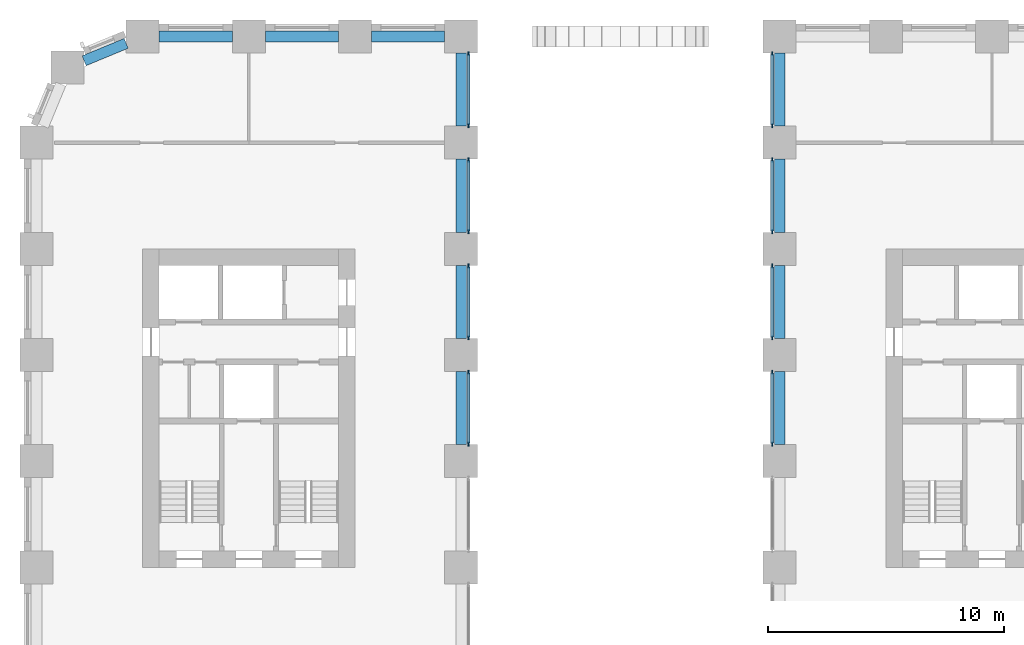
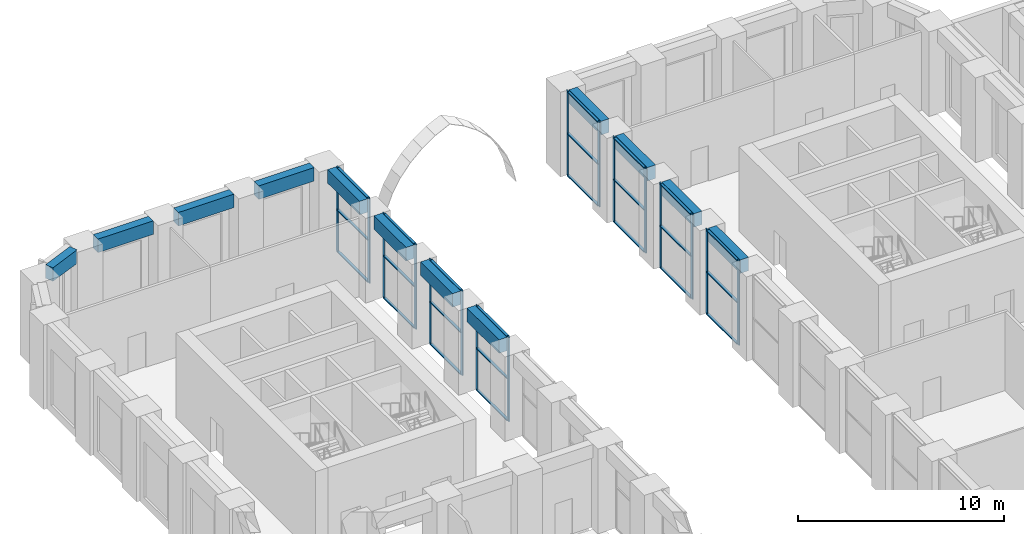
# One storey, part 5 of 24: 40 members, 12 beams, 8 elements without a shape of their own.
"""IFC4 building model written with IfcOpenShell, lengths in metres."""

from ifc_helpers import new_model, si_unit, direction, frame, origin, origin_2d, place, context, subcontext, project, spatial, rectangle, extrude, material, material_profile, profile_set, type_object, element, aggregate, save


model = new_model("IFC4")

# Units and contexts
model_context = context("Model", 3, precision=1e-05, world=origin(), true_north=direction((0.0, 1.0)))
body_context = subcontext(model_context, "Body", "Model", "MODEL_VIEW")
ifc_project = project(units=[si_unit("LENGTHUNIT", "METRE"), si_unit("AREAUNIT", "SQUARE_METRE"), si_unit("VOLUMEUNIT", "CUBIC_METRE"), si_unit("PLANEANGLEUNIT", "RADIAN"), si_unit("MASSUNIT", "GRAM", prefix="KILO")], contexts=[model_context])

# Site, building, storey
site_placement = place(None, origin())
site = spatial("IfcSite", under=ifc_project, at=site_placement, CompositionType="ELEMENT")
building_placement = place(site_placement, origin())
building = spatial("IfcBuilding", under=site, at=building_placement, Name="Girih Gate Residences", CompositionType="ELEMENT")
storey_placement = place(building_placement, frame((0.0, 0.0, 11.0)))
storey = spatial("IfcBuildingStorey", under=building, at=storey_placement, Name="L02", CompositionType="ELEMENT", Elevation=11.0)

# Curtain wall, members
ifc_material_1 = material(Name="Aluminium curtain wall frame", Category="aluminium")
curtain_wall_type = type_object("IfcCurtainWallType", Name="Curtain wall CW-2 podium amenity glazing", PredefinedType="NOTDEFINED", material=ifc_material_1)
curtain_wall_1_placement = place(storey_placement, origin())
curtain_wall_1 = element("IfcCurtainWall", 1, at=curtain_wall_1_placement, inside=storey, type_object=curtain_wall_type, Name="CW-2 Podium amenity glazing E0180_0000.7", PredefinedType="NOTDEFINED")
ifc_material_profile_1 = material_profile(ifc_material_1, rectangle(XDim=0.06005859375, YDim=0.179931640625, at=origin_2d()))
ifc_profile_set_1 = profile_set([ifc_material_profile_1], Name="Aluminium curtain wall frame")
member_type_1 = type_object("IfcMemberType", Name="Curtain wall mullion 60x180", PredefinedType="MULLION", material=ifc_profile_set_1)
member_1_placement = place(storey_placement, frame((18.31494140625, 32.22998046875, 0.0), z_axis=(0.0, 0.0, 1.0), x_axis=(-1.0, 0.0, 0.0)))
member_1 = element("IfcMember", 2, at=member_1_placement, type_object=member_type_1, Name="CW-2 mullion 1", PredefinedType="MULLION", context=body_context, shape_type="SweptSolid", body=[
    extrude(rectangle(XDim=0.06005859375, YDim=0.179931640625, at=origin_2d()), origin(), (0.0, 0.0, 1.0), 5.0),
])
member_2_placement = place(storey_placement, frame((18.31494140625, 35.27001953125, 0.0), z_axis=(0.0, 0.0, 1.0), x_axis=(-1.0, 0.0, 0.0)))
member_2 = element("IfcMember", 3, at=member_2_placement, type_object=member_type_1, Name="CW-2 mullion 2", PredefinedType="MULLION", context=body_context, shape_type="SweptSolid", body=[
    extrude(rectangle(XDim=0.06005859375, YDim=0.179931640625, at=origin_2d()), origin(), (0.0, 0.0, 1.0), 5.0),
])

curtain_wall_2_placement = place(storey_placement, origin())
curtain_wall_2 = element("IfcCurtainWall", 4, at=curtain_wall_2_placement, inside=storey, type_object=curtain_wall_type, Name="CW-2 Podium amenity glazing E0180_0000.8", PredefinedType="NOTDEFINED")
member_3_placement = place(storey_placement, frame((18.31494140625, 36.72998046875, 0.0), z_axis=(0.0, 0.0, 1.0), x_axis=(-1.0, 0.0, 0.0)))
member_3 = element("IfcMember", 5, at=member_3_placement, type_object=member_type_1, Name="CW-2 mullion 1", PredefinedType="MULLION", context=body_context, shape_type="SweptSolid", body=[
    extrude(rectangle(XDim=0.06005859375, YDim=0.179931640625, at=origin_2d()), origin(), (0.0, 0.0, 1.0), 5.0),
])
member_4_placement = place(storey_placement, frame((18.31494140625, 39.77001953125, 0.0), z_axis=(0.0, 0.0, 1.0), x_axis=(-1.0, 0.0, 0.0)))
member_4 = element("IfcMember", 6, at=member_4_placement, type_object=member_type_1, Name="CW-2 mullion 2", PredefinedType="MULLION", context=body_context, shape_type="SweptSolid", body=[
    extrude(rectangle(XDim=0.06005859375, YDim=0.179931640625, at=origin_2d()), origin(), (0.0, 0.0, 1.0), 5.0),
])

curtain_wall_3_placement = place(storey_placement, origin())
curtain_wall_3 = element("IfcCurtainWall", 7, at=curtain_wall_3_placement, inside=storey, type_object=curtain_wall_type, Name="CW-2 Podium amenity glazing E0180_0000.9", PredefinedType="NOTDEFINED")
member_5_placement = place(storey_placement, frame((18.31494140625, 41.22998046875, 0.0), z_axis=(0.0, 0.0, 1.0), x_axis=(-1.0, 0.0, 0.0)))
member_5 = element("IfcMember", 8, at=member_5_placement, type_object=member_type_1, Name="CW-2 mullion 1", PredefinedType="MULLION", context=body_context, shape_type="SweptSolid", body=[
    extrude(rectangle(XDim=0.06005859375, YDim=0.179931640625, at=origin_2d()), origin(), (0.0, 0.0, 1.0), 5.0),
])
member_6_placement = place(storey_placement, frame((18.31494140625, 44.27001953125, 0.0), z_axis=(0.0, 0.0, 1.0), x_axis=(-1.0, 0.0, 0.0)))
member_6 = element("IfcMember", 9, at=member_6_placement, type_object=member_type_1, Name="CW-2 mullion 2", PredefinedType="MULLION", context=body_context, shape_type="SweptSolid", body=[
    extrude(rectangle(XDim=0.06005859375, YDim=0.179931640625, at=origin_2d()), origin(), (0.0, 0.0, 1.0), 5.0),
])

curtain_wall_4_placement = place(storey_placement, origin())
curtain_wall_4 = element("IfcCurtainWall", 10, at=curtain_wall_4_placement, inside=storey, type_object=curtain_wall_type, Name="CW-2 Podium amenity glazing E0180_0000.10", PredefinedType="NOTDEFINED")
member_7_placement = place(storey_placement, frame((18.31494140625, 45.72998046875, 0.0), z_axis=(0.0, 0.0, 1.0), x_axis=(-1.0, 0.0, 0.0)))
member_7 = element("IfcMember", 11, at=member_7_placement, type_object=member_type_1, Name="CW-2 mullion 1", PredefinedType="MULLION", context=body_context, shape_type="SweptSolid", body=[
    extrude(rectangle(XDim=0.06005859375, YDim=0.179931640625, at=origin_2d()), origin(), (0.0, 0.0, 1.0), 5.0),
])
member_8_placement = place(storey_placement, frame((18.31494140625, 48.77001953125, 0.0), z_axis=(0.0, 0.0, 1.0), x_axis=(-1.0, 0.0, 0.0)))
member_8 = element("IfcMember", 12, at=member_8_placement, type_object=member_type_1, Name="CW-2 mullion 2", PredefinedType="MULLION", context=body_context, shape_type="SweptSolid", body=[
    extrude(rectangle(XDim=0.06005859375, YDim=0.179931640625, at=origin_2d()), origin(), (0.0, 0.0, 1.0), 5.0),
])

curtain_wall_5_placement = place(storey_placement, origin())
curtain_wall_5 = element("IfcCurtainWall", 13, at=curtain_wall_5_placement, inside=storey, type_object=curtain_wall_type, Name="CW-2 Podium amenity glazing W0315_0495.0", PredefinedType="NOTDEFINED")
member_9_placement = place(storey_placement, frame((31.18505859375, 48.77001953125, 0.0), z_axis=(0.0, 0.0, 1.0), x_axis=(1.0, 0.0, 0.0)))
member_9 = element("IfcMember", 14, at=member_9_placement, type_object=member_type_1, Name="CW-2 mullion 1", PredefinedType="MULLION", context=body_context, shape_type="SweptSolid", body=[
    extrude(rectangle(XDim=0.06005859375, YDim=0.179931640625, at=origin_2d()), origin(), (0.0, 0.0, 1.0), 5.0),
])
member_10_placement = place(storey_placement, frame((31.18505859375, 45.72998046875, 0.0), z_axis=(0.0, 0.0, 1.0), x_axis=(1.0, 0.0, 0.0)))
member_10 = element("IfcMember", 15, at=member_10_placement, type_object=member_type_1, Name="CW-2 mullion 2", PredefinedType="MULLION", context=body_context, shape_type="SweptSolid", body=[
    extrude(rectangle(XDim=0.06005859375, YDim=0.179931640625, at=origin_2d()), origin(), (0.0, 0.0, 1.0), 5.0),
])

curtain_wall_6_placement = place(storey_placement, origin())
curtain_wall_6 = element("IfcCurtainWall", 16, at=curtain_wall_6_placement, inside=storey, type_object=curtain_wall_type, Name="CW-2 Podium amenity glazing W0315_0495.1", PredefinedType="NOTDEFINED")
member_11_placement = place(storey_placement, frame((31.18505859375, 44.27001953125, 0.0), z_axis=(0.0, 0.0, 1.0), x_axis=(1.0, 0.0, 0.0)))
member_11 = element("IfcMember", 17, at=member_11_placement, type_object=member_type_1, Name="CW-2 mullion 1", PredefinedType="MULLION", context=body_context, shape_type="SweptSolid", body=[
    extrude(rectangle(XDim=0.06005859375, YDim=0.179931640625, at=origin_2d()), origin(), (0.0, 0.0, 1.0), 5.0),
])
member_12_placement = place(storey_placement, frame((31.18505859375, 41.22998046875, 0.0), z_axis=(0.0, 0.0, 1.0), x_axis=(1.0, 0.0, 0.0)))
member_12 = element("IfcMember", 18, at=member_12_placement, type_object=member_type_1, Name="CW-2 mullion 2", PredefinedType="MULLION", context=body_context, shape_type="SweptSolid", body=[
    extrude(rectangle(XDim=0.06005859375, YDim=0.179931640625, at=origin_2d()), origin(), (0.0, 0.0, 1.0), 5.0),
])

curtain_wall_7_placement = place(storey_placement, origin())
curtain_wall_7 = element("IfcCurtainWall", 19, at=curtain_wall_7_placement, inside=storey, type_object=curtain_wall_type, Name="CW-2 Podium amenity glazing W0315_0495.2", PredefinedType="NOTDEFINED")
member_13_placement = place(storey_placement, frame((31.18505859375, 39.77001953125, 0.0), z_axis=(0.0, 0.0, 1.0), x_axis=(1.0, 0.0, 0.0)))
member_13 = element("IfcMember", 20, at=member_13_placement, type_object=member_type_1, Name="CW-2 mullion 1", PredefinedType="MULLION", context=body_context, shape_type="SweptSolid", body=[
    extrude(rectangle(XDim=0.06005859375, YDim=0.179931640625, at=origin_2d()), origin(), (0.0, 0.0, 1.0), 5.0),
])
member_14_placement = place(storey_placement, frame((31.18505859375, 36.72998046875, 0.0), z_axis=(0.0, 0.0, 1.0), x_axis=(1.0, 0.0, 0.0)))
member_14 = element("IfcMember", 21, at=member_14_placement, type_object=member_type_1, Name="CW-2 mullion 2", PredefinedType="MULLION", context=body_context, shape_type="SweptSolid", body=[
    extrude(rectangle(XDim=0.06005859375, YDim=0.179931640625, at=origin_2d()), origin(), (0.0, 0.0, 1.0), 5.0),
])

curtain_wall_8_placement = place(storey_placement, origin())
curtain_wall_8 = element("IfcCurtainWall", 22, at=curtain_wall_8_placement, inside=storey, type_object=curtain_wall_type, Name="CW-2 Podium amenity glazing W0315_0495.3", PredefinedType="NOTDEFINED")
member_15_placement = place(storey_placement, frame((31.18505859375, 35.27001953125, 0.0), z_axis=(0.0, 0.0, 1.0), x_axis=(1.0, 0.0, 0.0)))
member_15 = element("IfcMember", 23, at=member_15_placement, type_object=member_type_1, Name="CW-2 mullion 1", PredefinedType="MULLION", context=body_context, shape_type="SweptSolid", body=[
    extrude(rectangle(XDim=0.06005859375, YDim=0.179931640625, at=origin_2d()), origin(), (0.0, 0.0, 1.0), 5.0),
])
member_16_placement = place(storey_placement, frame((31.18505859375, 32.22998046875, 0.0), z_axis=(0.0, 0.0, 1.0), x_axis=(1.0, 0.0, 0.0)))
member_16 = element("IfcMember", 24, at=member_16_placement, type_object=member_type_1, Name="CW-2 mullion 2", PredefinedType="MULLION", context=body_context, shape_type="SweptSolid", body=[
    extrude(rectangle(XDim=0.06005859375, YDim=0.179931640625, at=origin_2d()), origin(), (0.0, 0.0, 1.0), 5.0),
])

# Member
ifc_material_profile_2 = material_profile(ifc_material_1, rectangle(XDim=0.139892578125, YDim=0.06005859375, at=origin_2d()))
ifc_profile_set_2 = profile_set([ifc_material_profile_2], Name="Aluminium curtain wall frame")
member_type_2 = type_object("IfcMemberType", Name="Curtain wall transom 60x140", PredefinedType="USERDEFINED", material=ifc_profile_set_2)
member_17_placement = place(storey_placement, frame((18.31494140625, 32.260009765625, 0.030029296875), z_axis=(0.0, 1.0, 0.0), x_axis=(-1.0, 0.0, 0.0)))
member_17 = element("IfcMember", 25, at=member_17_placement, type_object=member_type_2, Name="CW-2 transom 1.1", ObjectType="TRANSOM", PredefinedType="USERDEFINED", context=body_context, shape_type="SweptSolid", body=[
    extrude(rectangle(XDim=0.139892578125, YDim=0.06005859375, at=origin_2d()), origin(), (0.0, 0.0, 1.0), 2.97998046875),
])

member_18_placement = place(storey_placement, frame((18.31494140625, 32.260009765625, 2.5), z_axis=(0.0, 1.0, 0.0), x_axis=(-1.0, 0.0, 0.0)))
member_18 = element("IfcMember", 26, at=member_18_placement, type_object=member_type_2, Name="CW-2 transom 1.2", ObjectType="TRANSOM", PredefinedType="USERDEFINED", context=body_context, shape_type="SweptSolid", body=[
    extrude(rectangle(XDim=0.139892578125, YDim=0.06005859375, at=origin_2d()), origin(), (0.0, 0.0, 1.0), 2.97998046875),
])

member_19_placement = place(storey_placement, frame((18.31494140625, 32.260009765625, 4.969970703125), z_axis=(0.0, 1.0, 0.0), x_axis=(-1.0, 0.0, 0.0)))
member_19 = element("IfcMember", 27, at=member_19_placement, type_object=member_type_2, Name="CW-2 transom 1.3", ObjectType="TRANSOM", PredefinedType="USERDEFINED", context=body_context, shape_type="SweptSolid", body=[
    extrude(rectangle(XDim=0.139892578125, YDim=0.06005859375, at=origin_2d()), origin(), (0.0, 0.0, 1.0), 2.97998046875),
])

aggregate(curtain_wall_1, [member_1, member_2, member_17, member_18, member_19])

member_20_placement = place(storey_placement, frame((18.31494140625, 36.760009765625, 0.030029296875), z_axis=(0.0, 1.0, 0.0), x_axis=(-1.0, 0.0, 0.0)))
member_20 = element("IfcMember", 28, at=member_20_placement, type_object=member_type_2, Name="CW-2 transom 1.1", ObjectType="TRANSOM", PredefinedType="USERDEFINED", context=body_context, shape_type="SweptSolid", body=[
    extrude(rectangle(XDim=0.139892578125, YDim=0.06005859375, at=origin_2d()), origin(), (0.0, 0.0, 1.0), 2.97998046875),
])

member_21_placement = place(storey_placement, frame((18.31494140625, 36.760009765625, 2.5), z_axis=(0.0, 1.0, 0.0), x_axis=(-1.0, 0.0, 0.0)))
member_21 = element("IfcMember", 29, at=member_21_placement, type_object=member_type_2, Name="CW-2 transom 1.2", ObjectType="TRANSOM", PredefinedType="USERDEFINED", context=body_context, shape_type="SweptSolid", body=[
    extrude(rectangle(XDim=0.139892578125, YDim=0.06005859375, at=origin_2d()), origin(), (0.0, 0.0, 1.0), 2.97998046875),
])

member_22_placement = place(storey_placement, frame((18.31494140625, 36.760009765625, 4.969970703125), z_axis=(0.0, 1.0, 0.0), x_axis=(-1.0, 0.0, 0.0)))
member_22 = element("IfcMember", 30, at=member_22_placement, type_object=member_type_2, Name="CW-2 transom 1.3", ObjectType="TRANSOM", PredefinedType="USERDEFINED", context=body_context, shape_type="SweptSolid", body=[
    extrude(rectangle(XDim=0.139892578125, YDim=0.06005859375, at=origin_2d()), origin(), (0.0, 0.0, 1.0), 2.97998046875),
])

aggregate(curtain_wall_2, [member_3, member_4, member_20, member_21, member_22])

member_23_placement = place(storey_placement, frame((18.31494140625, 41.260009765625, 0.030029296875), z_axis=(0.0, 1.0, 0.0), x_axis=(-1.0, 0.0, 0.0)))
member_23 = element("IfcMember", 31, at=member_23_placement, type_object=member_type_2, Name="CW-2 transom 1.1", ObjectType="TRANSOM", PredefinedType="USERDEFINED", context=body_context, shape_type="SweptSolid", body=[
    extrude(rectangle(XDim=0.139892578125, YDim=0.06005859375, at=origin_2d()), origin(), (0.0, 0.0, 1.0), 2.97998046875),
])

member_24_placement = place(storey_placement, frame((18.31494140625, 41.260009765625, 2.5), z_axis=(0.0, 1.0, 0.0), x_axis=(-1.0, 0.0, 0.0)))
member_24 = element("IfcMember", 32, at=member_24_placement, type_object=member_type_2, Name="CW-2 transom 1.2", ObjectType="TRANSOM", PredefinedType="USERDEFINED", context=body_context, shape_type="SweptSolid", body=[
    extrude(rectangle(XDim=0.139892578125, YDim=0.06005859375, at=origin_2d()), origin(), (0.0, 0.0, 1.0), 2.97998046875),
])

member_25_placement = place(storey_placement, frame((18.31494140625, 41.260009765625, 4.969970703125), z_axis=(0.0, 1.0, 0.0), x_axis=(-1.0, 0.0, 0.0)))
member_25 = element("IfcMember", 33, at=member_25_placement, type_object=member_type_2, Name="CW-2 transom 1.3", ObjectType="TRANSOM", PredefinedType="USERDEFINED", context=body_context, shape_type="SweptSolid", body=[
    extrude(rectangle(XDim=0.139892578125, YDim=0.06005859375, at=origin_2d()), origin(), (0.0, 0.0, 1.0), 2.97998046875),
])

aggregate(curtain_wall_3, [member_5, member_6, member_23, member_24, member_25])

member_26_placement = place(storey_placement, frame((18.31494140625, 45.760009765625, 0.030029296875), z_axis=(0.0, 1.0, 0.0), x_axis=(-1.0, 0.0, 0.0)))
member_26 = element("IfcMember", 34, at=member_26_placement, type_object=member_type_2, Name="CW-2 transom 1.1", ObjectType="TRANSOM", PredefinedType="USERDEFINED", context=body_context, shape_type="SweptSolid", body=[
    extrude(rectangle(XDim=0.139892578125, YDim=0.06005859375, at=origin_2d()), origin(), (0.0, 0.0, 1.0), 2.97998046875),
])

member_27_placement = place(storey_placement, frame((18.31494140625, 45.760009765625, 2.5), z_axis=(0.0, 1.0, 0.0), x_axis=(-1.0, 0.0, 0.0)))
member_27 = element("IfcMember", 35, at=member_27_placement, type_object=member_type_2, Name="CW-2 transom 1.2", ObjectType="TRANSOM", PredefinedType="USERDEFINED", context=body_context, shape_type="SweptSolid", body=[
    extrude(rectangle(XDim=0.139892578125, YDim=0.06005859375, at=origin_2d()), origin(), (0.0, 0.0, 1.0), 2.97998046875),
])

member_28_placement = place(storey_placement, frame((18.31494140625, 45.760009765625, 4.969970703125), z_axis=(0.0, 1.0, 0.0), x_axis=(-1.0, 0.0, 0.0)))
member_28 = element("IfcMember", 36, at=member_28_placement, type_object=member_type_2, Name="CW-2 transom 1.3", ObjectType="TRANSOM", PredefinedType="USERDEFINED", context=body_context, shape_type="SweptSolid", body=[
    extrude(rectangle(XDim=0.139892578125, YDim=0.06005859375, at=origin_2d()), origin(), (0.0, 0.0, 1.0), 2.97998046875),
])

aggregate(curtain_wall_4, [member_7, member_8, member_26, member_27, member_28])

member_29_placement = place(storey_placement, frame((31.18505859375, 48.739990234375, 0.030029296875), z_axis=(0.0, -1.0, 0.0), x_axis=(1.0, 0.0, 0.0)))
member_29 = element("IfcMember", 37, at=member_29_placement, type_object=member_type_2, Name="CW-2 transom 1.1", ObjectType="TRANSOM", PredefinedType="USERDEFINED", context=body_context, shape_type="SweptSolid", body=[
    extrude(rectangle(XDim=0.139892578125, YDim=0.06005859375, at=origin_2d()), origin(), (0.0, 0.0, 1.0), 2.97998046875),
])

member_30_placement = place(storey_placement, frame((31.18505859375, 48.739990234375, 2.5), z_axis=(0.0, -1.0, 0.0), x_axis=(1.0, 0.0, 0.0)))
member_30 = element("IfcMember", 38, at=member_30_placement, type_object=member_type_2, Name="CW-2 transom 1.2", ObjectType="TRANSOM", PredefinedType="USERDEFINED", context=body_context, shape_type="SweptSolid", body=[
    extrude(rectangle(XDim=0.139892578125, YDim=0.06005859375, at=origin_2d()), origin(), (0.0, 0.0, 1.0), 2.97998046875),
])

member_31_placement = place(storey_placement, frame((31.18505859375, 48.739990234375, 4.969970703125), z_axis=(0.0, -1.0, 0.0), x_axis=(1.0, 0.0, 0.0)))
member_31 = element("IfcMember", 39, at=member_31_placement, type_object=member_type_2, Name="CW-2 transom 1.3", ObjectType="TRANSOM", PredefinedType="USERDEFINED", context=body_context, shape_type="SweptSolid", body=[
    extrude(rectangle(XDim=0.139892578125, YDim=0.06005859375, at=origin_2d()), origin(), (0.0, 0.0, 1.0), 2.97998046875),
])

aggregate(curtain_wall_5, [member_9, member_10, member_29, member_30, member_31])

member_32_placement = place(storey_placement, frame((31.18505859375, 44.239990234375, 0.030029296875), z_axis=(0.0, -1.0, 0.0), x_axis=(1.0, 0.0, 0.0)))
member_32 = element("IfcMember", 40, at=member_32_placement, type_object=member_type_2, Name="CW-2 transom 1.1", ObjectType="TRANSOM", PredefinedType="USERDEFINED", context=body_context, shape_type="SweptSolid", body=[
    extrude(rectangle(XDim=0.139892578125, YDim=0.06005859375, at=origin_2d()), origin(), (0.0, 0.0, 1.0), 2.97998046875),
])

member_33_placement = place(storey_placement, frame((31.18505859375, 44.239990234375, 2.5), z_axis=(0.0, -1.0, 0.0), x_axis=(1.0, 0.0, 0.0)))
member_33 = element("IfcMember", 41, at=member_33_placement, type_object=member_type_2, Name="CW-2 transom 1.2", ObjectType="TRANSOM", PredefinedType="USERDEFINED", context=body_context, shape_type="SweptSolid", body=[
    extrude(rectangle(XDim=0.139892578125, YDim=0.06005859375, at=origin_2d()), origin(), (0.0, 0.0, 1.0), 2.97998046875),
])

member_34_placement = place(storey_placement, frame((31.18505859375, 44.239990234375, 4.969970703125), z_axis=(0.0, -1.0, 0.0), x_axis=(1.0, 0.0, 0.0)))
member_34 = element("IfcMember", 42, at=member_34_placement, type_object=member_type_2, Name="CW-2 transom 1.3", ObjectType="TRANSOM", PredefinedType="USERDEFINED", context=body_context, shape_type="SweptSolid", body=[
    extrude(rectangle(XDim=0.139892578125, YDim=0.06005859375, at=origin_2d()), origin(), (0.0, 0.0, 1.0), 2.97998046875),
])

aggregate(curtain_wall_6, [member_11, member_12, member_32, member_33, member_34])

member_35_placement = place(storey_placement, frame((31.18505859375, 39.739990234375, 0.030029296875), z_axis=(0.0, -1.0, 0.0), x_axis=(1.0, 0.0, 0.0)))
member_35 = element("IfcMember", 43, at=member_35_placement, type_object=member_type_2, Name="CW-2 transom 1.1", ObjectType="TRANSOM", PredefinedType="USERDEFINED", context=body_context, shape_type="SweptSolid", body=[
    extrude(rectangle(XDim=0.139892578125, YDim=0.06005859375, at=origin_2d()), origin(), (0.0, 0.0, 1.0), 2.97998046875),
])

member_36_placement = place(storey_placement, frame((31.18505859375, 39.739990234375, 2.5), z_axis=(0.0, -1.0, 0.0), x_axis=(1.0, 0.0, 0.0)))
member_36 = element("IfcMember", 44, at=member_36_placement, type_object=member_type_2, Name="CW-2 transom 1.2", ObjectType="TRANSOM", PredefinedType="USERDEFINED", context=body_context, shape_type="SweptSolid", body=[
    extrude(rectangle(XDim=0.139892578125, YDim=0.06005859375, at=origin_2d()), origin(), (0.0, 0.0, 1.0), 2.97998046875),
])

member_37_placement = place(storey_placement, frame((31.18505859375, 39.739990234375, 4.969970703125), z_axis=(0.0, -1.0, 0.0), x_axis=(1.0, 0.0, 0.0)))
member_37 = element("IfcMember", 45, at=member_37_placement, type_object=member_type_2, Name="CW-2 transom 1.3", ObjectType="TRANSOM", PredefinedType="USERDEFINED", context=body_context, shape_type="SweptSolid", body=[
    extrude(rectangle(XDim=0.139892578125, YDim=0.06005859375, at=origin_2d()), origin(), (0.0, 0.0, 1.0), 2.97998046875),
])

aggregate(curtain_wall_7, [member_13, member_14, member_35, member_36, member_37])

member_38_placement = place(storey_placement, frame((31.18505859375, 35.239990234375, 0.030029296875), z_axis=(0.0, -1.0, 0.0), x_axis=(1.0, 0.0, 0.0)))
member_38 = element("IfcMember", 46, at=member_38_placement, type_object=member_type_2, Name="CW-2 transom 1.1", ObjectType="TRANSOM", PredefinedType="USERDEFINED", context=body_context, shape_type="SweptSolid", body=[
    extrude(rectangle(XDim=0.139892578125, YDim=0.06005859375, at=origin_2d()), origin(), (0.0, 0.0, 1.0), 2.97998046875),
])

member_39_placement = place(storey_placement, frame((31.18505859375, 35.239990234375, 2.5), z_axis=(0.0, -1.0, 0.0), x_axis=(1.0, 0.0, 0.0)))
member_39 = element("IfcMember", 47, at=member_39_placement, type_object=member_type_2, Name="CW-2 transom 1.2", ObjectType="TRANSOM", PredefinedType="USERDEFINED", context=body_context, shape_type="SweptSolid", body=[
    extrude(rectangle(XDim=0.139892578125, YDim=0.06005859375, at=origin_2d()), origin(), (0.0, 0.0, 1.0), 2.97998046875),
])

member_40_placement = place(storey_placement, frame((31.18505859375, 35.239990234375, 4.969970703125), z_axis=(0.0, -1.0, 0.0), x_axis=(1.0, 0.0, 0.0)))
member_40 = element("IfcMember", 48, at=member_40_placement, type_object=member_type_2, Name="CW-2 transom 1.3", ObjectType="TRANSOM", PredefinedType="USERDEFINED", context=body_context, shape_type="SweptSolid", body=[
    extrude(rectangle(XDim=0.139892578125, YDim=0.06005859375, at=origin_2d()), origin(), (0.0, 0.0, 1.0), 2.97998046875),
])

aggregate(curtain_wall_8, [member_15, member_16, member_38, member_39, member_40])

# Beams
ifc_material_2 = material(Name="Concrete C60/75", Category="concrete")
ifc_material_profile_3 = material_profile(ifc_material_2, rectangle(XDim=0.449951171875, YDim=0.800048828125, at=origin_2d()))
ifc_profile_set_3 = profile_set([ifc_material_profile_3], Name="Concrete C60/75")
beam_type = type_object("IfcBeamType", Name="Spandrel girder RC 450x800 Concrete C60/75", PredefinedType="BEAM", material=ifc_profile_set_3)
for number, where, z_axis, x_axis, name in (
    (49, (17.300048828125, 49.5, 4.60009765625), (-1.0, 0.0, 0.0), (0.0, -1.0, 0.0), "Spandrel girder SP-P5L-P4L L02"),
    (50, (12.800048828125, 49.5, 4.60009765625), (-1.0, 0.0, 0.0), (0.0, -1.0, 0.0), "Spandrel girder SP-P4L-P3L L02"),
    (51, (8.300048828125, 49.5, 4.60009765625), (-1.0, 0.0, 0.0), (0.0, -1.0, 0.0), "Spandrel girder SP-P3L-P2L L02"),
):
    element("IfcBeam", number, at=place(storey_placement, frame(where, z_axis=z_axis, x_axis=x_axis)), inside=storey, type_object=beam_type, Name=name, PredefinedType="BEAM", context=body_context, shape_type="SweptSolid", body=[
        extrude(rectangle(XDim=0.449951171875, YDim=0.800048828125, at=origin_2d()), origin(), (0.0, 0.0, 1.0), 3.10009765625),
    ])
beam_placement = place(storey_placement, frame((3.800048828125, 49.2099609375, 4.60009765625), z_axis=(-0.923894961945, -0.382646180293, 0.0), x_axis=(0.382646180293, -0.923894961945, 0.0)))
element("IfcBeam", 52, at=beam_placement, inside=storey, type_object=beam_type, Name="Spandrel girder SP-P2L-P1LSE L02", PredefinedType="BEAM", context=body_context, shape_type="SweptSolid", body=[
    extrude(rectangle(XDim=0.449951171875, YDim=0.800048828125, at=origin_2d()), origin(), (0.0, 0.0, 1.0), 1.9287109375),
])
for number, where, z_axis, x_axis, name in (
    (53, (18.0, 32.199951171875, 4.60009765625), (0.0, 1.0, 0.0), (-1.0, 0.0, 0.0), "Spandrel girder SP-P5H-P5I L02"),
    (54, (18.0, 36.699951171875, 4.60009765625), (0.0, 1.0, 0.0), (-1.0, 0.0, 0.0), "Spandrel girder SP-P5I-P5J L02"),
    (55, (18.0, 41.199951171875, 4.60009765625), (0.0, 1.0, 0.0), (-1.0, 0.0, 0.0), "Spandrel girder SP-P5J-P5K L02"),
    (56, (18.0, 45.699951171875, 4.60009765625), (0.0, 1.0, 0.0), (-1.0, 0.0, 0.0), "Spandrel girder SP-P5K-P5L L02"),
    (57, (31.5, 48.800048828125, 4.60009765625), (0.0, -1.0, 0.0), (1.0, 0.0, 0.0), "Spandrel girder SP-P8L-P8K L02"),
    (58, (31.5, 44.300048828125, 4.60009765625), (0.0, -1.0, 0.0), (1.0, 0.0, 0.0), "Spandrel girder SP-P8K-P8J L02"),
    (59, (31.5, 39.800048828125, 4.60009765625), (0.0, -1.0, 0.0), (1.0, 0.0, 0.0), "Spandrel girder SP-P8J-P8I L02"),
    (60, (31.5, 35.300048828125, 4.60009765625), (0.0, -1.0, 0.0), (1.0, 0.0, 0.0), "Spandrel girder SP-P8I-P8H L02"),
):
    element("IfcBeam", number, at=place(storey_placement, frame(where, z_axis=z_axis, x_axis=x_axis)), inside=storey, type_object=beam_type, Name=name, PredefinedType="BEAM", context=body_context, shape_type="SweptSolid", body=[
        extrude(rectangle(XDim=0.449951171875, YDim=0.800048828125, at=origin_2d()), origin(), (0.0, 0.0, 1.0), 3.10009765625),
    ])

save(model, "model.ifc")
